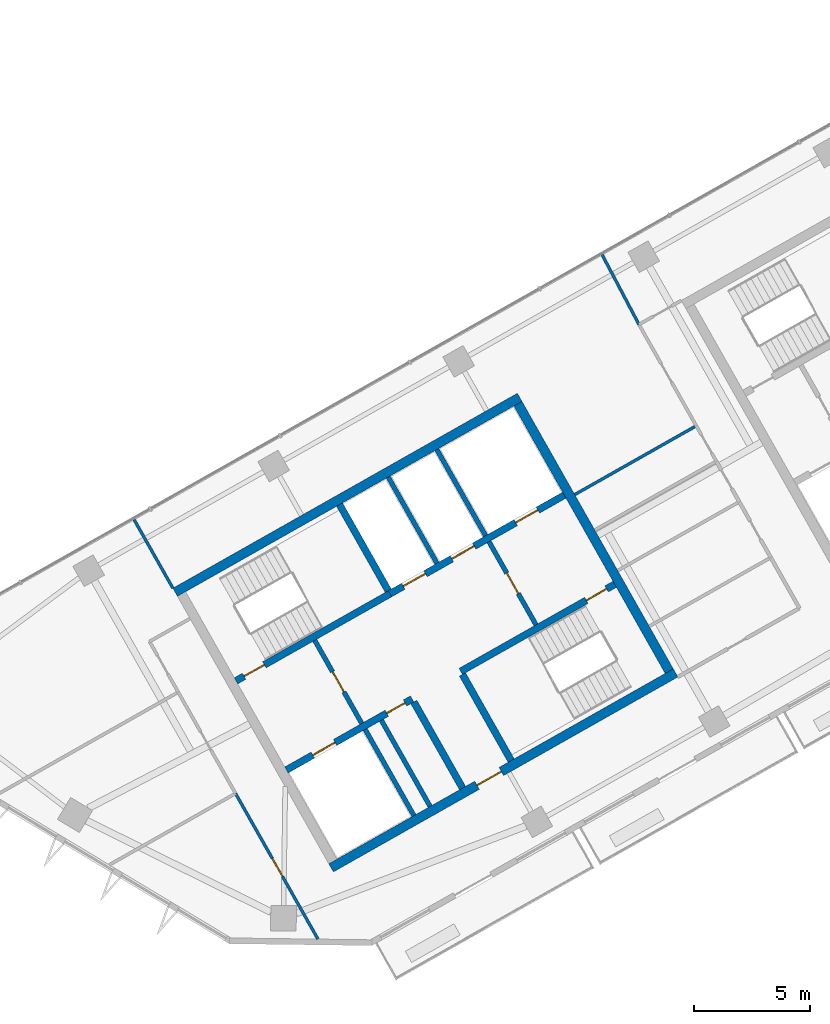
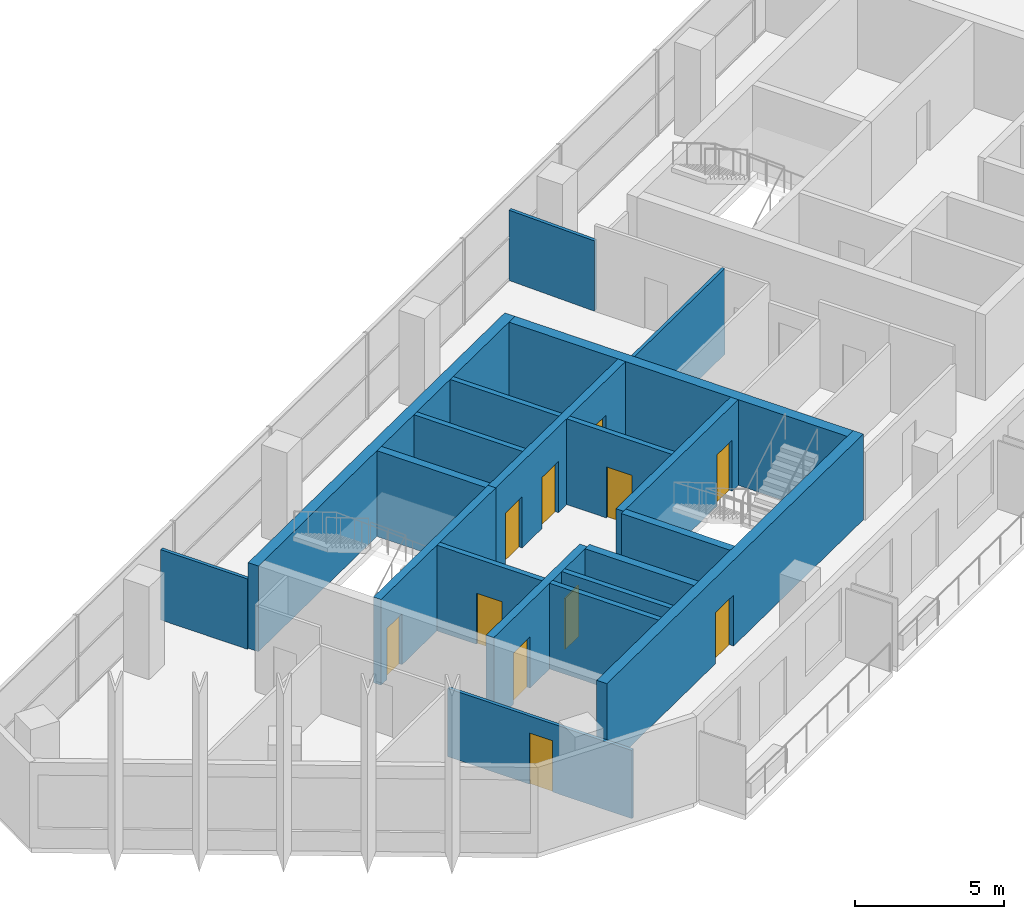
# One storey, part 6 of 10: 20 walls, 11 doors, 11 openings.
"""IFC4 building model written with IfcOpenShell, lengths in metres."""

from ifc_helpers import new_model, si_unit, direction, frame, frame_2d, origin, place, context, subcontext, project, spatial, rectangle, extrude, material, layer, layer_set, type_object, element, fill, save


model = new_model("IFC4")

# Units and contexts
model_context = context("Model", 3, precision=1e-05, world=origin(), true_north=direction((0.0, 1.0)))
body_context = subcontext(model_context, "Body", "Model", "MODEL_VIEW")
ifc_project = project(units=[si_unit("LENGTHUNIT", "METRE"), si_unit("AREAUNIT", "SQUARE_METRE"), si_unit("VOLUMEUNIT", "CUBIC_METRE"), si_unit("PLANEANGLEUNIT", "RADIAN"), si_unit("MASSUNIT", "GRAM", prefix="KILO")], contexts=[model_context])

# Site, building, storey
site_placement = place(None, origin())
site = spatial("IfcSite", under=ifc_project, at=site_placement, CompositionType="ELEMENT")
building_placement = place(site_placement, origin())
building = spatial("IfcBuilding", under=site, at=building_placement, Name="Binnacle Exchange Tower", CompositionType="ELEMENT")
storey_placement = place(building_placement, frame((0.0, 0.0, 339.300048828125)))
storey = spatial("IfcBuildingStorey", under=building, at=storey_placement, Name="L77", CompositionType="ELEMENT", Elevation=339.300048828125)

# Wall, openings, doors
ifc_material_1 = material(Name="Concrete C70/85", Category="concrete")
ifc_layer_1 = layer(ifc_material_1, 0.300048828125)
ifc_layer_set_1 = layer_set([ifc_layer_1], Name="Core wall - front 300")
wall_type_1 = type_object("IfcWallType", Name="Core wall - front 300", PredefinedType="SOLIDWALL", material=ifc_layer_set_1)
wall_1_placement = place(storey_placement, frame((-41.72998046875, 33.862548828125, 0.0), z_axis=(0.0, 0.0, 1.0), x_axis=(0.870350800578, 0.492432212525, 0.0)))
wall_1 = element("IfcWall", 1, at=wall_1_placement, inside=storey, type_object=wall_type_1, Name="Core wall CRWA2", PredefinedType="SOLIDWALL", context=body_context, shape_type="SweptSolid", body=[
    extrude(rectangle(XDim=6.19970703125, YDim=0.300048828125, at=frame_2d((3.099853515625, 0.0))), origin(), (0.0, 0.0, 1.0), 3.52001953125),
])
opening_1_placement = place(wall_1_placement, frame((1.300048828125, 0.0, 0.0)))
opening_1 = element("IfcOpeningElement", 2, at=opening_1_placement, cuts=wall_1, Name="Opening LD12", PredefinedType="OPENING", context=body_context, shape_type="SweptSolid", body=[
    extrude(rectangle(XDim=1.10009765625, YDim=2.10009765625, at=frame_2d((0.550048828125, 1.050048828125))), frame((0.0, 0.159912109375, 0.0), z_axis=(0.0, -1.0, 0.0), x_axis=(1.0, 0.0, 0.0)), (0.0, 0.0, 1.0), 0.320068359375),
])
opening_2_placement = place(wall_1_placement, frame((4.949951171875, 0.0, 0.0)))
opening_2 = element("IfcOpeningElement", 3, at=opening_2_placement, cuts=wall_1, Name="Opening DA14", PredefinedType="OPENING", context=body_context, shape_type="SweptSolid", body=[
    extrude(rectangle(XDim=0.89990234375, YDim=2.10009765625, at=frame_2d((0.449951171875, 1.050048828125))), frame((0.0, 0.159912109375, 0.0), z_axis=(0.0, -1.0, 0.0), x_axis=(1.0, 0.0, 0.0)), (0.0, 0.0, 1.0), 0.320068359375),
])
ifc_material_2 = material(Name="Steel door leaf", Category="steel")
door_type_1 = type_object("IfcDoorType", Name="Fire door - lift landing 1100", OperationType="NOTDEFINED", PredefinedType="DOOR", material=ifc_material_2)
door_1_placement = place(opening_1_placement, origin())
door_1 = element("IfcDoor", 4, at=door_1_placement, inside=storey, type_object=door_type_1, Name="Landing door LD12 L77", OperationType="DOUBLE_DOOR_SLIDING", OverallHeight=2.10009765625, OverallWidth=1.10009765625, PredefinedType="DOOR", context=body_context, shape_type="SweptSolid", body=[
    extrude(rectangle(XDim=1.10009765625, YDim=2.10009765625, at=frame_2d((0.550048828125, 1.050048828125))), frame((0.0, 0.02490234375, 0.0), z_axis=(0.0, -1.0, 0.0), x_axis=(1.0, 0.0, 0.0)), (0.0, 0.0, 1.0), 0.050048828125),
])
fill(opening_1, door_1)
door_type_2 = type_object("IfcDoorType", Name="Fire door 900", OperationType="NOTDEFINED", PredefinedType="DOOR", material=ifc_material_2)
door_2_placement = place(opening_2_placement, frame((0.89990234375, 0.0, 0.0), z_axis=(0.0, 0.0, 1.0), x_axis=(-1.0, 0.0, 0.0)))
door_2 = element("IfcDoor", 5, at=door_2_placement, inside=storey, type_object=door_type_2, Name="Core room door CLEANERS STORE", OperationType="SINGLE_SWING_LEFT", OverallHeight=2.10009765625, OverallWidth=0.89990234375, PredefinedType="DOOR", context=body_context, shape_type="SweptSolid", body=[
    extrude(rectangle(XDim=0.89990234375, YDim=2.10009765625, at=frame_2d((0.449951171875, 1.050048828125))), frame((0.0, 0.02490234375, 0.0), z_axis=(0.0, -1.0, 0.0), x_axis=(1.0, 0.0, 0.0)), (0.0, 0.0, 1.0), 0.050048828125),
])
fill(opening_2, door_2)

wall_2_placement = place(storey_placement, frame((-37.281982421875, 41.4345703125, 0.0), z_axis=(0.0, 0.0, 1.0), x_axis=(0.870361315115, 0.492413628113, 0.0)))
wall_2 = element("IfcWall", 6, at=wall_2_placement, inside=storey, type_object=wall_type_1, Name="Core wall CRWA5", PredefinedType="SOLIDWALL", context=body_context, shape_type="SweptSolid", body=[
    extrude(rectangle(XDim=8.599609375, YDim=0.300048828125, at=frame_2d((4.2998046875, 0.0))), origin(), (0.0, 0.0, 1.0), 3.52001953125),
])
opening_3_placement = place(wall_2_placement, frame((0.650146484375, 0.0, 0.0)))
opening_3 = element("IfcOpeningElement", 7, at=opening_3_placement, cuts=wall_2, Name="Opening LD9", PredefinedType="OPENING", context=body_context, shape_type="SweptSolid", body=[
    extrude(rectangle(XDim=1.10009765625, YDim=2.10009765625, at=frame_2d((0.550048828125, 1.050048828125))), frame((0.0, 0.159912109375, 0.0), z_axis=(0.0, -1.0, 0.0), x_axis=(1.0, 0.0, 0.0)), (0.0, 0.0, 1.0), 0.320068359375),
])
opening_4_placement = place(wall_2_placement, frame((3.050048828125, 0.0, 0.0)))
opening_4 = element("IfcOpeningElement", 8, at=opening_4_placement, cuts=wall_2, Name="Opening LD10", PredefinedType="OPENING", context=body_context, shape_type="SweptSolid", body=[
    extrude(rectangle(XDim=1.10009765625, YDim=2.10009765625, at=frame_2d((0.550048828125, 1.050048828125))), frame((0.0, 0.159912109375, 0.0), z_axis=(0.0, -1.0, 0.0), x_axis=(1.0, 0.0, 0.0)), (0.0, 0.0, 1.0), 0.320068359375),
])
opening_5_placement = place(wall_2_placement, frame((6.199951171875, 0.0, 0.0)))
opening_5 = element("IfcOpeningElement", 9, at=opening_5_placement, cuts=wall_2, Name="Opening LD13", PredefinedType="OPENING", context=body_context, shape_type="SweptSolid", body=[
    extrude(rectangle(XDim=1.10009765625, YDim=2.10009765625, at=frame_2d((0.550048828125, 1.050048828125))), frame((0.0, 0.159912109375, 0.0), z_axis=(0.0, -1.0, 0.0), x_axis=(1.0, 0.0, 0.0)), (0.0, 0.0, 1.0), 0.320068359375),
])
door_3_placement = place(opening_3_placement, origin())
door_3 = element("IfcDoor", 10, at=door_3_placement, inside=storey, type_object=door_type_1, Name="Landing door LD9 L77", OperationType="DOUBLE_DOOR_SLIDING", OverallHeight=2.10009765625, OverallWidth=1.10009765625, PredefinedType="DOOR", context=body_context, shape_type="SweptSolid", body=[
    extrude(rectangle(XDim=1.10009765625, YDim=2.10009765625, at=frame_2d((0.550048828125, 1.050048828125))), frame((0.0, 0.02490234375, 0.0), z_axis=(0.0, -1.0, 0.0), x_axis=(1.0, 0.0, 0.0)), (0.0, 0.0, 1.0), 0.050048828125),
])
fill(opening_3, door_3)
door_4_placement = place(opening_4_placement, origin())
door_4 = element("IfcDoor", 11, at=door_4_placement, inside=storey, type_object=door_type_1, Name="Landing door LD10 L77", OperationType="DOUBLE_DOOR_SLIDING", OverallHeight=2.10009765625, OverallWidth=1.10009765625, PredefinedType="DOOR", context=body_context, shape_type="SweptSolid", body=[
    extrude(rectangle(XDim=1.10009765625, YDim=2.10009765625, at=frame_2d((0.550048828125, 1.050048828125))), frame((0.0, 0.02490234375, 0.0), z_axis=(0.0, -1.0, 0.0), x_axis=(1.0, 0.0, 0.0)), (0.0, 0.0, 1.0), 0.050048828125),
])
fill(opening_4, door_4)
door_5_placement = place(opening_5_placement, origin())
door_5 = element("IfcDoor", 12, at=door_5_placement, inside=storey, type_object=door_type_1, Name="Landing door LD13 L77", OperationType="DOUBLE_DOOR_SLIDING", OverallHeight=2.10009765625, OverallWidth=1.10009765625, PredefinedType="DOOR", context=body_context, shape_type="SweptSolid", body=[
    extrude(rectangle(XDim=1.10009765625, YDim=2.10009765625, at=frame_2d((0.550048828125, 1.050048828125))), frame((0.0, 0.02490234375, 0.0), z_axis=(0.0, -1.0, 0.0), x_axis=(1.0, 0.0, 0.0)), (0.0, 0.0, 1.0), 0.050048828125),
])
fill(opening_5, door_5)

# Wall
wall_3_placement = place(storey_placement, frame((-36.260009765625, 36.784912109375, 0.0), z_axis=(0.0, 0.0, 1.0), x_axis=(0.492422543467, -0.870356271124, 0.0)))
element("IfcWall", 13, at=wall_3_placement, inside=storey, type_object=wall_type_1, Name="Core wall CRWA13", PredefinedType="SOLIDWALL", context=body_context, shape_type="SweptSolid", body=[
    extrude(rectangle(XDim=4.25, YDim=0.300048828125, at=frame_2d((2.125, 0.0))), origin(), (0.0, 0.0, 1.0), 3.52001953125),
])

# Wall, opening, door
ifc_layer_2 = layer(ifc_material_1, 0.39990234375)
ifc_layer_set_2 = layer_set([ifc_layer_2], Name="Core wall - outer 400")
wall_type_2 = type_object("IfcWallType", Name="Core wall - outer 400", PredefinedType="SOLIDWALL", material=ifc_layer_set_2)
wall_4_placement = place(storey_placement, frame((-39.81298828125, 29.661865234375, 0.0), z_axis=(0.0, 0.0, 1.0), x_axis=(0.870350116061, 0.492433422375, 0.0)))
wall_4 = element("IfcWall", 14, at=wall_4_placement, inside=storey, type_object=wall_type_2, Name="Core wall CRWA1", PredefinedType="SOLIDWALL", context=body_context, shape_type="SweptSolid", body=[
    extrude(rectangle(XDim=17.0, YDim=0.39990234375, at=frame_2d((8.5, 0.0))), origin(), (0.0, 0.0, 1.0), 3.52001953125),
])
opening_6_placement = place(wall_4_placement, frame((7.199951171875, 0.0, 0.0)))
opening_6 = element("IfcOpeningElement", 15, at=opening_6_placement, cuts=wall_4, Name="Opening DA7", PredefinedType="OPENING", context=body_context, shape_type="SweptSolid", body=[
    extrude(rectangle(XDim=1.199951171875, YDim=2.10009765625, at=frame_2d((0.60009765625, 1.050048828125))), frame((0.0, 0.2099609375, 0.0), z_axis=(0.0, -1.0, 0.0), x_axis=(1.0, 0.0, 0.0)), (0.0, 0.0, 1.0), 0.419921875),
])
door_type_3 = type_object("IfcDoorType", Name="Fire door 1200", OperationType="NOTDEFINED", PredefinedType="DOOR", material=ifc_material_2)
door_6_placement = place(opening_6_placement, frame((1.199951171875, 0.0, 0.0), z_axis=(0.0, 0.0, 1.0), x_axis=(-1.0, 0.0, 0.0)))
door_6 = element("IfcDoor", 16, at=door_6_placement, inside=storey, type_object=door_type_3, Name="Lift lobby entrance door core A", OperationType="SINGLE_SWING_RIGHT", OverallHeight=2.10009765625, OverallWidth=1.199951171875, PredefinedType="DOOR", context=body_context, shape_type="SweptSolid", body=[
    extrude(rectangle(XDim=1.199951171875, YDim=2.10009765625, at=frame_2d((0.60009765625, 1.050048828125))), frame((0.0, 0.02490234375, 0.0), z_axis=(0.0, -1.0, 0.0), x_axis=(1.0, 0.0, 0.0)), (0.0, 0.0, 1.0), 0.050048828125),
])
fill(opening_6, door_6)

# Walls
wall_5_placement = place(storey_placement, frame((-46.510009765625, 41.498779296875, 0.0), z_axis=(0.0, 0.0, 1.0), x_axis=(0.870356271124, 0.492422543467, 0.0)))
element("IfcWall", 17, at=wall_5_placement, inside=storey, type_object=wall_type_2, Name="Core wall CRWA6", PredefinedType="SOLIDWALL", context=body_context, shape_type="SweptSolid", body=[
    extrude(rectangle(XDim=16.999755859375, YDim=0.39990234375, at=frame_2d((8.5, 0.0))), origin(), (0.0, 0.0, 1.0), 3.52001953125),
])
wall_6_placement = place(storey_placement, frame((-31.78955078125, 49.597412109375, 0.0), z_axis=(0.0, 0.0, 1.0), x_axis=(0.492421663121, -0.870356769198, 0.0)))
element("IfcWall", 18, at=wall_6_placement, inside=storey, type_object=wall_type_2, Name="Core wall CRWA22", PredefinedType="SOLIDWALL", context=body_context, shape_type="SweptSolid", body=[
    extrude(rectangle(XDim=13.199951171875, YDim=0.39990234375, at=frame_2d((6.60009765625, 0.0))), origin(), (0.0, 0.0, 1.0), 3.52001953125),
])

# Wall, opening, door
ifc_layer_3 = layer(ifc_material_1, 0.300048828125)
ifc_layer_set_3 = layer_set([ifc_layer_3], Name="Core wall - stair 300")
wall_type_3 = type_object("IfcWallType", Name="Core wall - stair 300", PredefinedType="SOLIDWALL", material=ifc_layer_set_3)
wall_7_placement = place(storey_placement, frame((-34.2451171875, 38.097412109375, 0.0), z_axis=(0.0, 0.0, 1.0), x_axis=(0.870356351998, 0.492422400523, 0.0)))
wall_7 = element("IfcWall", 19, at=wall_7_placement, inside=storey, type_object=wall_type_3, Name="Core wall CRWA3", PredefinedType="SOLIDWALL", context=body_context, shape_type="SweptSolid", body=[
    extrude(rectangle(XDim=7.60009765625, YDim=0.300048828125, at=frame_2d((3.800048828125, 0.0))), origin(), (0.0, 0.0, 1.0), 3.52001953125),
])
opening_7_placement = place(wall_7_placement, frame((6.199951171875, 0.0, 0.0)))
opening_7 = element("IfcOpeningElement", 20, at=opening_7_placement, cuts=wall_7, Name="Opening DA2", PredefinedType="OPENING", context=body_context, shape_type="SweptSolid", body=[
    extrude(rectangle(XDim=1.0, YDim=2.10009765625, at=frame_2d((0.5, 1.050048828125))), frame((0.0, 0.159912109375, 0.0), z_axis=(0.0, -1.0, 0.0), x_axis=(1.0, 0.0, 0.0)), (0.0, 0.0, 1.0), 0.320068359375),
])
door_type_4 = type_object("IfcDoorType", Name="Fire door 1000", OperationType="NOTDEFINED", PredefinedType="DOOR", material=ifc_material_2)
door_7_placement = place(opening_7_placement, frame((1.0, 0.0, 0.0), z_axis=(0.0, 0.0, 1.0), x_axis=(-1.0, 0.0, 0.0)))
door_7 = element("IfcDoor", 21, at=door_7_placement, inside=storey, type_object=door_type_4, Name="Stair door ST-A2", OperationType="SINGLE_SWING_LEFT", OverallHeight=2.10009765625, OverallWidth=1.0, PredefinedType="DOOR", context=body_context, shape_type="SweptSolid", body=[
    extrude(rectangle(XDim=1.0, YDim=2.10009765625, at=frame_2d((0.5, 1.050048828125))), frame((0.0, 0.02490234375, 0.0), z_axis=(0.0, -1.0, 0.0), x_axis=(1.0, 0.0, 0.0)), (0.0, 0.0, 1.0), 0.050048828125),
])
fill(opening_7, door_7)

wall_8_placement = place(storey_placement, frame((-43.896728515625, 37.692138671875, 0.0), z_axis=(0.0, 0.0, 1.0), x_axis=(0.870356351998, 0.492422400523, 0.0)))
wall_8 = element("IfcWall", 22, at=wall_8_placement, inside=storey, type_object=wall_type_3, Name="Core wall CRWA4", PredefinedType="SOLIDWALL", context=body_context, shape_type="SweptSolid", body=[
    extrude(rectangle(XDim=7.60009765625, YDim=0.300048828125, at=frame_2d((3.800048828125, 0.0))), origin(), (0.0, 0.0, 1.0), 3.52001953125),
])
opening_8_placement = place(wall_8_placement, frame((0.39990234375, 0.0, 0.0)))
opening_8 = element("IfcOpeningElement", 23, at=opening_8_placement, cuts=wall_8, Name="Opening DA1", PredefinedType="OPENING", context=body_context, shape_type="SweptSolid", body=[
    extrude(rectangle(XDim=1.0, YDim=2.10009765625, at=frame_2d((0.5, 1.050048828125))), frame((0.0, 0.159912109375, 0.0), z_axis=(0.0, -1.0, 0.0), x_axis=(1.0, 0.0, 0.0)), (0.0, 0.0, 1.0), 0.320068359375),
])
door_8_placement = place(opening_8_placement, origin())
door_8 = element("IfcDoor", 24, at=door_8_placement, inside=storey, type_object=door_type_4, Name="Stair door ST-A1", OperationType="SINGLE_SWING_LEFT", OverallHeight=2.10009765625, OverallWidth=1.0, PredefinedType="DOOR", context=body_context, shape_type="SweptSolid", body=[
    extrude(rectangle(XDim=1.0, YDim=2.10009765625, at=frame_2d((0.5, 1.050048828125))), frame((0.0, 0.02490234375, 0.0), z_axis=(0.0, -1.0, 0.0), x_axis=(1.0, 0.0, 0.0)), (0.0, 0.0, 1.0), 0.050048828125),
])
fill(opening_8, door_8)

# Walls
for number, where, z_axis, x_axis, name in (
    (25, (-39.44873046875, 45.263916015625, 0.0), (0.0, 0.0, 1.0), (0.492422543467, -0.870356271124, 0.0), "Core wall CRWA14"),
    (26, (-34.171142578125, 37.966796875, 0.0), (0.0, 0.0, 1.0), (0.492422543467, -0.870356271124, 0.0), "Core wall CRWA16"),
):
    element("IfcWall", number, at=place(storey_placement, frame(where, z_axis=z_axis, x_axis=x_axis)), inside=storey, type_object=wall_type_3, Name=name, PredefinedType="SOLIDWALL", context=body_context, shape_type="SweptSolid", body=[
        extrude(rectangle(XDim=4.25, YDim=0.300048828125, at=frame_2d((2.125, 0.0))), origin(), (0.0, 0.0, 1.0), 3.52001953125),
    ])

# Wall, opening, door
ifc_material_3 = material(Name="Masonry block wall", Category="masonry")
ifc_layer_4 = layer(ifc_material_3, 0.199951171875)
ifc_layer_set_4 = layer_set([ifc_layer_4], Name="Fire wall - vestibule 200")
wall_type_4 = type_object("IfcWallType", Name="Fire wall - vestibule 200", PredefinedType="PARTITIONING", material=ifc_layer_set_4)
wall_9_placement = place(storey_placement, frame((-40.515625, 39.4326171875, 0.0), z_axis=(0.0, 0.0, 1.0), x_axis=(0.492453559952, -0.87033872216, 0.0)))
wall_9 = element("IfcWall", 27, at=wall_9_placement, inside=storey, type_object=wall_type_4, Name="Core wall CRWA10", PredefinedType="PARTITIONING", context=body_context, shape_type="SweptSolid", body=[
    extrude(rectangle(XDim=4.099853515625, YDim=0.199951171875, at=frame_2d((2.0498046875, 0.0))), origin(), (0.0, 0.0, 1.0), 3.52001953125),
])
opening_9_placement = place(wall_9_placement, frame((1.550048828125, 0.0, 0.0)))
opening_9 = element("IfcOpeningElement", 28, at=opening_9_placement, cuts=wall_9, Name="Opening DA3", PredefinedType="OPENING", context=body_context, shape_type="SweptSolid", body=[
    extrude(rectangle(XDim=1.0, YDim=2.10009765625, at=frame_2d((0.5, 1.050048828125))), frame((0.0, 0.10986328125, 0.0), z_axis=(0.0, -1.0, 0.0), x_axis=(1.0, 0.0, 0.0)), (0.0, 0.0, 1.0), 0.219970703125),
])
door_9_placement = place(opening_9_placement, frame((1.0, 0.0, 0.0), z_axis=(0.0, 0.0, 1.0), x_axis=(-1.0, 0.0, 0.0)))
door_9 = element("IfcDoor", 29, at=door_9_placement, inside=storey, type_object=door_type_4, Name="Vestibule door VEST-W", OperationType="SINGLE_SWING_LEFT", OverallHeight=2.10009765625, OverallWidth=1.0, PredefinedType="DOOR", context=body_context, shape_type="SweptSolid", body=[
    extrude(rectangle(XDim=1.0, YDim=2.10009765625, at=frame_2d((0.5, 1.050048828125))), frame((0.0, 0.02490234375, 0.0), z_axis=(0.0, -1.0, 0.0), x_axis=(1.0, 0.0, 0.0)), (0.0, 0.0, 1.0), 0.050048828125),
])
fill(opening_9, door_9)

wall_10_placement = place(storey_placement, frame((-33.030517578125, 43.66748046875, 0.0), z_axis=(0.0, 0.0, 1.0), x_axis=(0.492408451753, -0.87036424366, 0.0)))
wall_10 = element("IfcWall", 30, at=wall_10_placement, inside=storey, type_object=wall_type_4, Name="Core wall CRWA19", PredefinedType="PARTITIONING", context=body_context, shape_type="SweptSolid", body=[
    extrude(rectangle(XDim=4.099853515625, YDim=0.199951171875, at=frame_2d((2.0498046875, 0.0))), origin(), (0.0, 0.0, 1.0), 3.52001953125),
])
opening_10_placement = place(wall_10_placement, frame((1.550048828125, 0.0, 0.0)))
opening_10 = element("IfcOpeningElement", 31, at=opening_10_placement, cuts=wall_10, Name="Opening DA4", PredefinedType="OPENING", context=body_context, shape_type="SweptSolid", body=[
    extrude(rectangle(XDim=1.0, YDim=2.10009765625, at=frame_2d((0.5, 1.050048828125))), frame((0.0, 0.10986328125, 0.0), z_axis=(0.0, -1.0, 0.0), x_axis=(1.0, 0.0, 0.0)), (0.0, 0.0, 1.0), 0.219970703125),
])
door_10_placement = place(opening_10_placement, origin())
door_10 = element("IfcDoor", 32, at=door_10_placement, inside=storey, type_object=door_type_4, Name="Vestibule door VEST-E", OperationType="SINGLE_SWING_RIGHT", OverallHeight=2.10009765625, OverallWidth=1.0, PredefinedType="DOOR", context=body_context, shape_type="SweptSolid", body=[
    extrude(rectangle(XDim=1.0, YDim=2.10009765625, at=frame_2d((0.5, 1.050048828125))), frame((0.0, 0.02490234375, 0.0), z_axis=(0.0, -1.0, 0.0), x_axis=(1.0, 0.0, 0.0)), (0.0, 0.0, 1.0), 0.050048828125),
])
fill(opening_10, door_10)

# Wall
ifc_material_4 = material(Name="Gypsum partition")
ifc_layer_5 = layer(ifc_material_4, 0.125)
ifc_layer_set_5 = layer_set([ifc_layer_5], Name="Partition 125")
wall_type_5 = type_object("IfcWallType", Name="Partition 125", PredefinedType="PARTITIONING", material=ifc_layer_set_5)
wall_11_placement = place(storey_placement, frame((-48.27490234375, 44.617919921875, 0.0), z_axis=(0.0, 0.0, 1.0), x_axis=(0.492404360331, -0.870366558369, 0.0)))
element("IfcWall", 33, at=wall_11_placement, inside=storey, type_object=wall_type_5, Name="Partition W03", PredefinedType="PARTITIONING", context=body_context, shape_type="SweptSolid", body=[
    extrude(rectangle(XDim=3.383544921875, YDim=0.125, at=frame_2d((1.69189453125, 0.0))), origin(), (0.0, 0.0, 1.0), 2.887939453125),
])

# Wall, opening, door
wall_12_placement = place(storey_placement, frame((-43.9169921875, 32.85498046875, 0.0), z_axis=(0.0, 0.0, 1.0), x_axis=(0.492446757002, -0.870342571358, 0.0)))
wall_12 = element("IfcWall", 34, at=wall_12_placement, inside=storey, type_object=wall_type_5, Name="Partition W07", PredefinedType="PARTITIONING", context=body_context, shape_type="SweptSolid", body=[
    extrude(rectangle(XDim=7.186767578125, YDim=0.125, at=frame_2d((3.59326171875, 0.0))), origin(), (0.0, 0.0, 1.0), 2.800048828125),
])
opening_11_placement = place(wall_12_placement, frame((3.199951171875, 0.0, 0.0)))
opening_11 = element("IfcOpeningElement", 35, at=opening_11_placement, cuts=wall_12, Name="Opening DL77-05", PredefinedType="OPENING", context=body_context, shape_type="SweptSolid", body=[
    extrude(rectangle(XDim=0.89990234375, YDim=2.10009765625, at=frame_2d((0.449951171875, 1.050048828125))), frame((0.0, 0.072509765625, 0.0), z_axis=(0.0, -1.0, 0.0), x_axis=(1.0, 0.0, 0.0)), (0.0, 0.0, 1.0), 0.14501953125),
])
ifc_material_5 = material(Name="Timber door leaf", Category="wood")
door_type_5 = type_object("IfcDoorType", Name="Door 900", OperationType="NOTDEFINED", PredefinedType="DOOR", material=ifc_material_5)
door_11_placement = place(opening_11_placement, frame((0.89990234375, 0.0, 0.0), z_axis=(0.0, 0.0, 1.0), x_axis=(-1.0, 0.0, 0.0)))
door_11 = element("IfcDoor", 36, at=door_11_placement, inside=storey, type_object=door_type_5, Name="Door DL77-05", OperationType="SINGLE_SWING_LEFT", OverallHeight=2.10009765625, OverallWidth=0.89990234375, PredefinedType="DOOR", context=body_context, shape_type="SweptSolid", body=[
    extrude(rectangle(XDim=0.89990234375, YDim=2.10009765625, at=frame_2d((0.449951171875, 1.050048828125))), frame((0.0, 0.02490234375, 0.0), z_axis=(0.0, -1.0, 0.0), x_axis=(1.0, 0.0, 0.0)), (0.0, 0.0, 1.0), 0.050048828125),
])
fill(opening_11, door_11)

# Walls
wall_13_placement = place(storey_placement, frame((-29.35009765625, 45.69189453125, 0.0), z_axis=(0.0, 0.0, 1.0), x_axis=(0.870318719588, 0.492488909859, 0.0)))
element("IfcWall", 37, at=wall_13_placement, inside=storey, type_object=wall_type_5, Name="Partition W08", PredefinedType="PARTITIONING", context=body_context, shape_type="SweptSolid", body=[
    extrude(rectangle(XDim=6.000244140625, YDim=0.125, at=frame_2d((3.0, 0.0))), origin(), (0.0, 0.0, 1.0), 3.52001953125),
])
wall_14_placement = place(storey_placement, frame((-28.1708984375, 55.992919921875, 0.0), z_axis=(0.0, 0.0, 1.0), x_axis=(0.466919980712, -0.884299571193, 0.0)))
element("IfcWall", 38, at=wall_14_placement, inside=storey, type_object=wall_type_5, Name="Partition W10", PredefinedType="PARTITIONING", context=body_context, shape_type="SweptSolid", body=[
    extrude(rectangle(XDim=3.385498046875, YDim=0.125, at=frame_2d((1.69287109375, 0.0))), origin(), (0.0, 0.0, 1.0), 2.887939453125),
])
ifc_layer_6 = layer(ifc_material_3, 0.199951171875)
ifc_layer_set_6 = layer_set([ifc_layer_6], Name="Riser wall 200")
wall_type_6 = type_object("IfcWallType", Name="Riser wall 200", PredefinedType="SOLIDWALL", material=ifc_layer_set_6)
wall_15_placement = place(storey_placement, frame((-38.348876953125, 35.603271484375, 0.0), z_axis=(0.0, 0.0, 1.0), x_axis=(0.492397924348, -0.870370199454, 0.0)))
element("IfcWall", 39, at=wall_15_placement, inside=storey, type_object=wall_type_6, Name="Core wall CRWA8", PredefinedType="SOLIDWALL", context=body_context, shape_type="SweptSolid", body=[
    extrude(rectangle(XDim=4.250244140625, YDim=0.199951171875, at=frame_2d((2.125, 0.0))), origin(), (0.0, 0.0, 1.0), 3.52001953125),
])
wall_16_placement = place(storey_placement, frame((-37.652587890625, 35.9970703125, 0.0), z_axis=(0.0, 0.0, 1.0), x_axis=(0.492422543467, -0.870356271124, 0.0)))
element("IfcWall", 40, at=wall_16_placement, inside=storey, type_object=wall_type_6, Name="Core wall CRWA11", PredefinedType="SOLIDWALL", context=body_context, shape_type="SweptSolid", body=[
    extrude(rectangle(XDim=4.25, YDim=0.199951171875, at=frame_2d((2.125, 0.0))), origin(), (0.0, 0.0, 1.0), 3.52001953125),
])
ifc_layer_7 = layer(ifc_material_3, 0.199951171875)
ifc_layer_set_7 = layer_set([ifc_layer_7], Name="Shaft wall 200")
wall_type_7 = type_object("IfcWallType", Name="Shaft wall 200", PredefinedType="SOLIDWALL", material=ifc_layer_set_7)
for number, where, z_axis, x_axis, name in (
    (41, (-37.35986328125, 46.44580078125, 0.0), (0.0, 0.0, 1.0), (0.492422543467, -0.870356271124, 0.0), "Core wall CRWA17"),
    (42, (-35.27099609375, 47.627685546875, 0.0), (0.0, 0.0, 1.0), (0.492422543467, -0.870356271124, 0.0), "Core wall CRWA21"),
):
    element("IfcWall", number, at=place(storey_placement, frame(where, z_axis=z_axis, x_axis=x_axis)), inside=storey, type_object=wall_type_7, Name=name, PredefinedType="SOLIDWALL", context=body_context, shape_type="SweptSolid", body=[
        extrude(rectangle(XDim=4.25, YDim=0.199951171875, at=frame_2d((2.125, 0.0))), origin(), (0.0, 0.0, 1.0), 3.52001953125),
    ])

save(model, "model.ifc")
